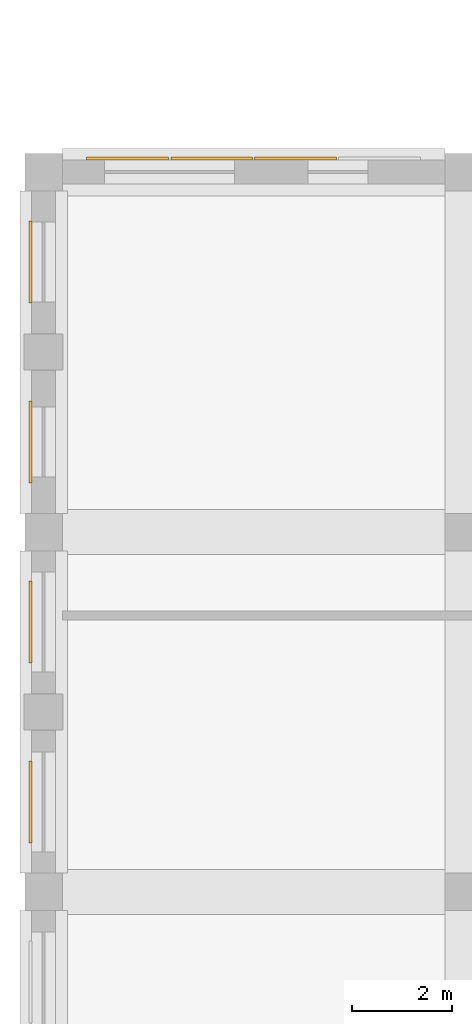
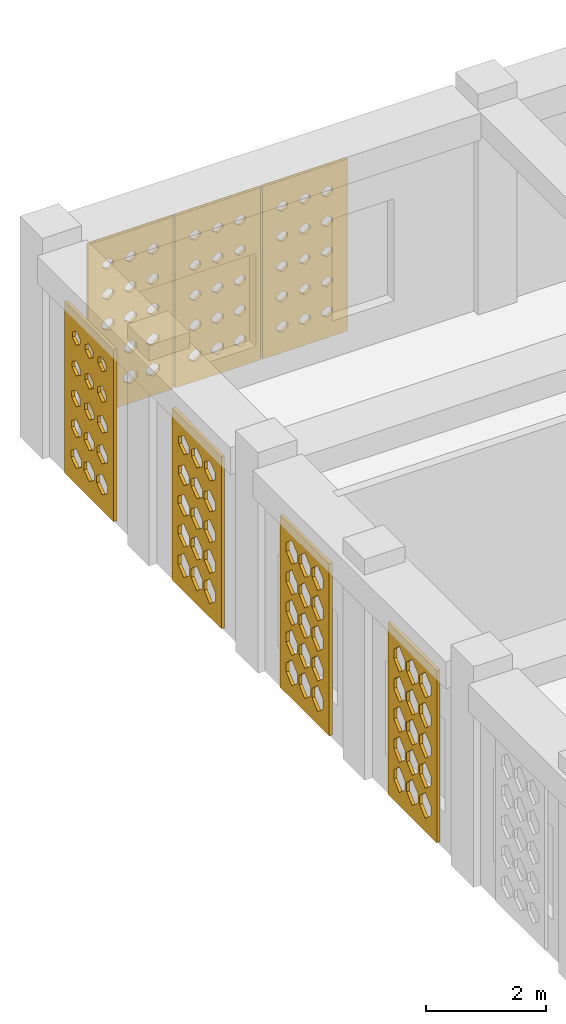
# One storey, part 103 of 121: 7 coverings.
"""IFC4 building model written with IfcOpenShell, lengths in metres."""

from ifc_helpers import new_model, si_unit, derived_unit, direction, frame, origin, place, context, subcontext, project, spatial, polyline, outline, extrude, material, layer, layer_set, type_object, element, save


model = new_model("IFC4")

# Units and contexts
model_context = context("Model", 3, precision=1e-05, world=origin(), true_north=direction((0.0, 1.0)))
body_context = subcontext(model_context, "Body", "Model", "MODEL_VIEW")
ifc_project = project(units=[si_unit("LENGTHUNIT", "METRE"), si_unit("AREAUNIT", "SQUARE_METRE"), si_unit("VOLUMEUNIT", "CUBIC_METRE"), si_unit("PLANEANGLEUNIT", "RADIAN"), si_unit("MASSUNIT", "GRAM", prefix="KILO"), derived_unit("THERMALTRANSMITTANCEUNIT", [(si_unit("POWERUNIT", "WATT"), 1), (si_unit("LENGTHUNIT", "METRE"), -2), (si_unit("THERMODYNAMICTEMPERATUREUNIT", "KELVIN"), -1)])], contexts=[model_context])

# Site, building, storey
site_placement = place(None, origin())
site = spatial("IfcSite", under=ifc_project, at=site_placement, CompositionType="ELEMENT")
building_placement = place(site_placement, origin())
building = spatial("IfcBuilding", under=site, at=building_placement, Name="Veybourne Emporium", CompositionType="ELEMENT")
storey_placement = place(building_placement, frame((0.0, 0.0, 5.39990234375)))
storey = spatial("IfcBuildingStorey", under=building, at=storey_placement, Name="L01", CompositionType="ELEMENT", Elevation=5.39990234375)

# Coverings
ifc_material = material(Name="Warm-White Perforated Aluminium Screen Alloy", Category="aluminium")
ifc_layer_1 = layer(ifc_material, 0.06005859375)
ifc_layer_set_1 = layer_set([ifc_layer_1], Name="Warm-White Perforated Aluminium Screen Alloy")
covering_type_1 = type_object("IfcCoveringType", Name="WaveScreen_SCR-01", PredefinedType="CLADDING", material=ifc_layer_set_1)
covering_1_placement = place(storey_placement, frame((1.679931640625, 79.498046875, 1.815185546875), z_axis=(0.0, -1.0, 0.0), x_axis=(1.0, 0.0, 0.0)))
element("IfcCovering", 1, at=covering_1_placement, inside=storey, type_object=covering_type_1, Name="L01 wave-perforated aluminium screen SCR-01 (10.1)", PredefinedType="CLADDING", context=body_context, shape_type="SweptSolid", body=[
    extrude(outline(polyline([(-0.81982421875, -1.7548828125), (0.81982421875, -1.7548828125), (0.81982421875, 1.7548828125), (-0.81982421875, 1.7548828125), (-0.81982421875, -1.7548828125)]), holes=[polyline([(-0.433349609375, -1.07470703125), (-0.298095703125, -1.1728515625), (-0.298095703125, -1.283203125), (-0.433349609375, -1.381103515625), (-0.568603515625, -1.283203125), (-0.568603515625, -1.1728515625), (-0.433349609375, -1.07470703125)]), polyline([(-0.433349609375, -0.47265625), (-0.3076171875, -0.56298828125), (-0.3076171875, -0.664794921875), (-0.433349609375, -0.75537109375), (-0.55908203125, -0.664794921875), (-0.55908203125, -0.56298828125), (-0.433349609375, -0.47265625)]), polyline([(-0.433349609375, 0.131103515625), (-0.316162109375, 0.047119140625), (-0.316162109375, -0.047119140625), (-0.433349609375, -0.131103515625), (-0.550537109375, -0.047119140625), (-0.550537109375, 0.047119140625), (-0.433349609375, 0.131103515625)]), polyline([(-0.433349609375, 0.736572265625), (-0.322998046875, 0.658203125), (-0.322998046875, 0.56982421875), (-0.433349609375, 0.491455078125), (-0.543701171875, 0.56982421875), (-0.543701171875, 0.658203125), (-0.433349609375, 0.736572265625)]), polyline([(-0.433349609375, 1.343994140625), (-0.328369140625, 1.269775390625), (-0.328369140625, 1.186279296875), (-0.433349609375, 1.11181640625), (-0.538330078125, 1.186279296875), (-0.538330078125, 1.269775390625), (-0.433349609375, 1.343994140625)]), polyline([(0.0, -1.080322265625), (0.130859375, -1.1748046875), (0.130859375, -1.281005859375), (0.0, -1.37548828125), (-0.130859375, -1.281005859375), (-0.130859375, -1.1748046875), (0.0, -1.080322265625)]), polyline([(0.0, -0.4775390625), (0.12158203125, -0.56494140625), (0.12158203125, -0.6630859375), (0.0, -0.75048828125), (-0.12158203125, -0.6630859375), (-0.12158203125, -0.56494140625), (0.0, -0.4775390625)]), polyline([(0.0, 0.126953125), (0.11376953125, 0.045654296875), (0.11376953125, -0.045654296875), (0.0, -0.126953125), (-0.11376953125, -0.045654296875), (-0.11376953125, 0.045654296875), (0.0, 0.126953125)]), polyline([(0.0, 0.7333984375), (0.107666015625, 0.656982421875), (0.107666015625, 0.571044921875), (0.0, 0.49462890625), (-0.107666015625, 0.571044921875), (-0.107666015625, 0.656982421875), (0.0, 0.7333984375)]), polyline([(0.0, 1.341796875), (0.103271484375, 1.26904296875), (0.103271484375, 1.18701171875), (0.0, 1.114013671875), (-0.103271484375, 1.18701171875), (-0.103271484375, 1.26904296875), (0.0, 1.341796875)]), polyline([(0.433349609375, -1.085693359375), (0.559814453125, -1.1767578125), (0.559814453125, -1.279296875), (0.433349609375, -1.370361328125), (0.306884765625, -1.279296875), (0.306884765625, -1.1767578125), (0.433349609375, -1.085693359375)]), polyline([(0.433349609375, -0.482177734375), (0.55126953125, -0.56640625), (0.55126953125, -0.66162109375), (0.433349609375, -0.745849609375), (0.3154296875, -0.66162109375), (0.3154296875, -0.56640625), (0.433349609375, -0.482177734375)]), polyline([(0.433349609375, 0.123291015625), (0.544189453125, 0.04443359375), (0.544189453125, -0.04443359375), (0.433349609375, -0.123291015625), (0.322509765625, -0.04443359375), (0.322509765625, 0.04443359375), (0.433349609375, 0.123291015625)]), polyline([(0.433349609375, 0.730712890625), (0.538818359375, 0.656005859375), (0.538818359375, 0.572021484375), (0.433349609375, 0.497314453125), (0.327880859375, 0.572021484375), (0.327880859375, 0.656005859375), (0.433349609375, 0.730712890625)]), polyline([(0.433349609375, 1.340087890625), (0.53515625, 1.268310546875), (0.53515625, 1.1875), (0.433349609375, 1.11572265625), (0.33154296875, 1.1875), (0.33154296875, 1.268310546875), (0.433349609375, 1.340087890625)])]), origin(), (0.0, 0.0, 1.0), 0.06005859375),
])
ifc_layer_2 = layer(ifc_material, 0.06005859375)
ifc_layer_set_2 = layer_set([ifc_layer_2], Name="Warm-White Perforated Aluminium Screen Alloy")
covering_type_2 = type_object("IfcCoveringType", Name="WaveScreen_SCR-02", PredefinedType="CLADDING", material=ifc_layer_set_2)
covering_2_placement = place(storey_placement, frame((3.360107421875, 79.498046875, 1.815185546875), z_axis=(0.0, -1.0, 0.0), x_axis=(1.0, 0.0, 0.0)))
element("IfcCovering", 2, at=covering_2_placement, inside=storey, type_object=covering_type_2, Name="L01 wave-perforated aluminium screen SCR-02 (10.2)", PredefinedType="CLADDING", context=body_context, shape_type="SweptSolid", body=[
    extrude(outline(polyline([(-0.81982421875, -1.7548828125), (0.81982421875, -1.7548828125), (0.81982421875, 1.7548828125), (-0.81982421875, 1.7548828125), (-0.81982421875, -1.7548828125)]), holes=[polyline([(-0.433349609375, -1.094482421875), (-0.314208984375, -1.179931640625), (-0.314208984375, -1.27587890625), (-0.433349609375, -1.361328125), (-0.552490234375, -1.27587890625), (-0.552490234375, -1.179931640625), (-0.433349609375, -1.094482421875)]), polyline([(-0.433349609375, -0.489501953125), (-0.321533203125, -0.569091796875), (-0.321533203125, -0.65869140625), (-0.433349609375, -0.73828125), (-0.545166015625, -0.65869140625), (-0.545166015625, -0.569091796875), (-0.433349609375, -0.489501953125)]), polyline([(-0.433349609375, 0.117431640625), (-0.327392578125, 0.042236328125), (-0.327392578125, -0.042236328125), (-0.433349609375, -0.117431640625), (-0.539306640625, -0.042236328125), (-0.539306640625, 0.042236328125), (-0.433349609375, 0.117431640625)]), polyline([(-0.433349609375, 0.726806640625), (-0.3310546875, 0.654541015625), (-0.3310546875, 0.573486328125), (-0.433349609375, 0.501220703125), (-0.535400390625, 0.573486328125), (-0.535400390625, 0.654541015625), (-0.433349609375, 0.726806640625)]), polyline([(-0.433349609375, 1.33837890625), (-0.3330078125, 1.267578125), (-0.3330078125, 1.188232421875), (-0.433349609375, 1.11767578125), (-0.53369140625, 1.188232421875), (-0.53369140625, 1.267578125), (-0.433349609375, 1.33837890625)]), polyline([(0.0, -1.09912109375), (0.115478515625, -1.181396484375), (0.115478515625, -1.2744140625), (0.0, -1.35693359375), (-0.115478515625, -1.2744140625), (-0.115478515625, -1.181396484375), (0.0, -1.09912109375)]), polyline([(0.0, -0.492919921875), (0.10888671875, -0.570556640625), (0.10888671875, -0.657470703125), (0.0, -0.735107421875), (-0.10888671875, -0.657470703125), (-0.10888671875, -0.570556640625), (0.0, -0.492919921875)]), polyline([(0.0, 0.114990234375), (0.10400390625, 0.04150390625), (0.10400390625, -0.04150390625), (0.0, -0.114990234375), (-0.10400390625, -0.04150390625), (-0.10400390625, 0.04150390625), (0.0, 0.114990234375)]), polyline([(0.0, 0.725341796875), (0.10107421875, 0.654052734375), (0.10107421875, 0.573974609375), (0.0, 0.502685546875), (-0.10107421875, 0.573974609375), (-0.10107421875, 0.654052734375), (0.0, 0.725341796875)]), polyline([(0.0, 1.337890625), (0.10009765625, 1.267578125), (0.10009765625, 1.1884765625), (0.0, 1.117919921875), (-0.10009765625, 1.1884765625), (-0.10009765625, 1.267578125), (0.0, 1.337890625)]), polyline([(0.433349609375, -1.102783203125), (0.545654296875, -1.18310546875), (0.545654296875, -1.27294921875), (0.433349609375, -1.35302734375), (0.321044921875, -1.27294921875), (0.321044921875, -1.18310546875), (0.433349609375, -1.102783203125)]), polyline([(0.433349609375, -0.49609375), (0.539794921875, -0.571533203125), (0.539794921875, -0.656494140625), (0.433349609375, -0.73193359375), (0.326904296875, -0.656494140625), (0.326904296875, -0.571533203125), (0.433349609375, -0.49609375)]), polyline([(0.433349609375, 0.113037109375), (0.535888671875, 0.040771484375), (0.535888671875, -0.040771484375), (0.433349609375, -0.113037109375), (0.330810546875, -0.040771484375), (0.330810546875, 0.040771484375), (0.433349609375, 0.113037109375)]), polyline([(0.433349609375, 0.724365234375), (0.53369140625, 0.65380859375), (0.53369140625, 0.57421875), (0.433349609375, 0.503662109375), (0.3330078125, 0.57421875), (0.3330078125, 0.65380859375), (0.433349609375, 0.724365234375)]), polyline([(0.433349609375, 1.338134765625), (0.533447265625, 1.267578125), (0.533447265625, 1.188232421875), (0.433349609375, 1.117919921875), (0.333251953125, 1.188232421875), (0.333251953125, 1.267578125), (0.433349609375, 1.338134765625)])]), origin(), (0.0, 0.0, 1.0), 0.06005859375),
])
covering_3_placement = place(storey_placement, frame((-0.298095703125, 73.802490234375, 1.815185546875), z_axis=(1.0, 0.0, 0.0), x_axis=(0.0, 1.0, 0.0)))
element("IfcCovering", 3, at=covering_3_placement, inside=storey, type_object=covering_type_2, Name="L01 wave-perforated aluminium screen SCR-02 (11A.1)", PredefinedType="CLADDING", context=body_context, shape_type="SweptSolid", body=[
    extrude(outline(polyline([(-0.81982421875, -1.7548828125), (0.81982421875, -1.7548828125), (0.81982421875, 1.7548828125), (-0.81982421875, 1.7548828125), (-0.81982421875, -1.7548828125)]), holes=[polyline([(-0.433349609375, -0.972412109375), (-0.2470703125, -1.135986328125), (-0.2470703125, -1.320068359375), (-0.433349609375, -1.483642578125), (-0.61962890625, -1.320068359375), (-0.61962890625, -1.135986328125), (-0.433349609375, -0.972412109375)]), polyline([(-0.433349609375, -0.368408203125), (-0.2470703125, -0.525390625), (-0.2470703125, -0.702392578125), (-0.433349609375, -0.859619140625), (-0.61962890625, -0.702392578125), (-0.61962890625, -0.525390625), (-0.433349609375, -0.368408203125)]), polyline([(-0.433349609375, 0.234130859375), (-0.2470703125, 0.084228515625), (-0.2470703125, -0.084228515625), (-0.433349609375, -0.234130859375), (-0.61962890625, -0.084228515625), (-0.61962890625, 0.084228515625), (-0.433349609375, 0.234130859375)]), polyline([(-0.433349609375, 0.83544921875), (-0.2470703125, 0.693603515625), (-0.2470703125, 0.5341796875), (-0.433349609375, 0.392578125), (-0.61962890625, 0.5341796875), (-0.61962890625, 0.693603515625), (-0.433349609375, 0.83544921875)]), polyline([(-0.433349609375, 1.435791015625), (-0.25341796875, 1.302734375), (-0.25341796875, 1.1533203125), (-0.433349609375, 1.020263671875), (-0.61328125, 1.1533203125), (-0.61328125, 1.302734375), (-0.433349609375, 1.435791015625)]), polyline([(0.0, -0.9765625), (0.186279296875, -1.137451171875), (0.186279296875, -1.318603515625), (0.0, -1.4794921875), (-0.186279296875, -1.318603515625), (-0.186279296875, -1.137451171875), (0.0, -0.9765625)]), polyline([(0.0, -0.373291015625), (0.186279296875, -0.52734375), (0.186279296875, -0.70068359375), (0.0, -0.854736328125), (-0.186279296875, -0.70068359375), (-0.186279296875, -0.52734375), (0.0, -0.373291015625)]), polyline([(0.0, 0.228515625), (0.186279296875, 0.082275390625), (0.186279296875, -0.082275390625), (0.0, -0.228515625), (-0.186279296875, -0.082275390625), (-0.186279296875, 0.082275390625), (0.0, 0.228515625)]), polyline([(0.0, 0.829345703125), (0.18603515625, 0.69140625), (0.18603515625, 0.53662109375), (0.0, 0.398681640625), (-0.18603515625, 0.53662109375), (-0.18603515625, 0.69140625), (0.0, 0.829345703125)]), polyline([(0.0, 1.429443359375), (0.1748046875, 1.300537109375), (0.1748046875, 1.155517578125), (0.0, 1.026611328125), (-0.1748046875, 1.155517578125), (-0.1748046875, 1.300537109375), (0.0, 1.429443359375)]), polyline([(0.433349609375, -0.981201171875), (0.61962890625, -1.13916015625), (0.61962890625, -1.31689453125), (0.433349609375, -1.474609375), (0.2470703125, -1.31689453125), (0.2470703125, -1.13916015625), (0.433349609375, -0.981201171875)]), polyline([(0.433349609375, -0.378662109375), (0.61962890625, -0.529296875), (0.61962890625, -0.69873046875), (0.433349609375, -0.849365234375), (0.2470703125, -0.69873046875), (0.2470703125, -0.529296875), (0.433349609375, -0.378662109375)]), polyline([(0.433349609375, 0.22265625), (0.61962890625, 0.080078125), (0.61962890625, -0.080078125), (0.433349609375, -0.22265625), (0.2470703125, -0.080078125), (0.2470703125, 0.080078125), (0.433349609375, 0.22265625)]), polyline([(0.433349609375, 0.822998046875), (0.614501953125, 0.689208984375), (0.614501953125, 0.538818359375), (0.433349609375, 0.405029296875), (0.252197265625, 0.538818359375), (0.252197265625, 0.689208984375), (0.433349609375, 0.822998046875)]), polyline([(0.433349609375, 1.423095703125), (0.602783203125, 1.298095703125), (0.602783203125, 1.15771484375), (0.433349609375, 1.032958984375), (0.263916015625, 1.15771484375), (0.263916015625, 1.298095703125), (0.433349609375, 1.423095703125)])]), origin(), (0.0, 0.0, 1.0), 0.06005859375),
])
covering_4_placement = place(storey_placement, frame((-0.298095703125, 77.3974609375, 1.815185546875), z_axis=(1.0, 0.0, 0.0), x_axis=(0.0, 1.0, 0.0)))
element("IfcCovering", 4, at=covering_4_placement, inside=storey, type_object=covering_type_2, Name="L01 wave-perforated aluminium screen SCR-02 (11B.1)", PredefinedType="CLADDING", context=body_context, shape_type="SweptSolid", body=[
    extrude(outline(polyline([(-0.81982421875, -1.7548828125), (0.81982421875, -1.7548828125), (0.81982421875, 1.7548828125), (-0.81982421875, 1.7548828125), (-0.81982421875, -1.7548828125)]), holes=[polyline([(-0.433349609375, -1.01708984375), (-0.250732421875, -1.152099609375), (-0.250732421875, -1.303955078125), (-0.433349609375, -1.43896484375), (-0.615966796875, -1.303955078125), (-0.615966796875, -1.152099609375), (-0.433349609375, -1.01708984375)]), polyline([(-0.433349609375, -0.4169921875), (-0.26220703125, -0.543212890625), (-0.26220703125, -0.684814453125), (-0.433349609375, -0.81103515625), (-0.6044921875, -0.684814453125), (-0.6044921875, -0.543212890625), (-0.433349609375, -0.4169921875)]), polyline([(-0.433349609375, 0.182861328125), (-0.273681640625, 0.06591796875), (-0.273681640625, -0.06591796875), (-0.433349609375, -0.182861328125), (-0.593017578125, -0.06591796875), (-0.593017578125, 0.06591796875), (-0.433349609375, 0.182861328125)]), polyline([(-0.433349609375, 0.782958984375), (-0.28515625, 0.6748046875), (-0.28515625, 0.55322265625), (-0.433349609375, 0.445068359375), (-0.58154296875, 0.55322265625), (-0.58154296875, 0.6748046875), (-0.433349609375, 0.782958984375)]), polyline([(-0.433349609375, 1.3837890625), (-0.2958984375, 1.2841796875), (-0.2958984375, 1.171875), (-0.433349609375, 1.072265625), (-0.57080078125, 1.171875), (-0.57080078125, 1.2841796875), (-0.433349609375, 1.3837890625)]), polyline([(0.0, -1.023193359375), (0.177490234375, -1.154296875), (0.177490234375, -1.3017578125), (0.0, -1.4326171875), (-0.177490234375, -1.3017578125), (-0.177490234375, -1.154296875), (0.0, -1.023193359375)]), polyline([(0.0, -0.42333984375), (0.166015625, -0.54541015625), (0.166015625, -0.6826171875), (0.0, -0.8046875), (-0.166015625, -0.6826171875), (-0.166015625, -0.54541015625), (0.0, -0.42333984375)]), polyline([(0.0, 0.176513671875), (0.154296875, 0.0634765625), (0.154296875, -0.0634765625), (0.0, -0.176513671875), (-0.154296875, -0.0634765625), (-0.154296875, 0.0634765625), (0.0, 0.176513671875)]), polyline([(0.0, 0.77685546875), (0.143310546875, 0.672607421875), (0.143310546875, 0.555419921875), (0.0, 0.451171875), (-0.143310546875, 0.555419921875), (-0.143310546875, 0.672607421875), (0.0, 0.77685546875)]), polyline([(0.0, 1.378173828125), (0.1328125, 1.281982421875), (0.1328125, 1.174072265625), (0.0, 1.077880859375), (-0.1328125, 1.174072265625), (-0.1328125, 1.281982421875), (0.0, 1.378173828125)]), polyline([(0.433349609375, -1.02978515625), (0.605712890625, -1.156494140625), (0.605712890625, -1.29931640625), (0.433349609375, -1.42626953125), (0.260986328125, -1.29931640625), (0.260986328125, -1.156494140625), (0.433349609375, -1.02978515625)]), polyline([(0.433349609375, -0.429931640625), (0.593994140625, -0.547607421875), (0.593994140625, -0.680419921875), (0.433349609375, -0.798095703125), (0.272705078125, -0.680419921875), (0.272705078125, -0.547607421875), (0.433349609375, -0.429931640625)]), polyline([(0.433349609375, 0.170166015625), (0.58251953125, 0.061279296875), (0.58251953125, -0.061279296875), (0.433349609375, -0.170166015625), (0.2841796875, -0.061279296875), (0.2841796875, 0.061279296875), (0.433349609375, 0.170166015625)]), polyline([(0.433349609375, 0.77099609375), (0.57177734375, 0.67041015625), (0.57177734375, 0.5576171875), (0.433349609375, 0.45703125), (0.294921875, 0.5576171875), (0.294921875, 0.67041015625), (0.433349609375, 0.77099609375)]), polyline([(0.433349609375, 1.372802734375), (0.561767578125, 1.280029296875), (0.561767578125, 1.17578125), (0.433349609375, 1.083251953125), (0.304931640625, 1.17578125), (0.304931640625, 1.280029296875), (0.433349609375, 1.372802734375)])]), origin(), (0.0, 0.0, 1.0), 0.06005859375),
])
ifc_layer_3 = layer(ifc_material, 0.06005859375)
ifc_layer_set_3 = layer_set([ifc_layer_3], Name="Warm-White Perforated Aluminium Screen Alloy")
covering_type_3 = type_object("IfcCoveringType", Name="WaveScreen_SCR-03", PredefinedType="CLADDING", material=ifc_layer_set_3)
covering_5_placement = place(storey_placement, frame((5.0400390625, 79.498046875, 1.815185546875), z_axis=(0.0, -1.0, 0.0), x_axis=(1.0, 0.0, 0.0)))
element("IfcCovering", 5, at=covering_5_placement, inside=storey, type_object=covering_type_3, Name="L01 wave-perforated aluminium screen SCR-03 (10.3)", PredefinedType="CLADDING", context=body_context, shape_type="SweptSolid", body=[
    extrude(outline(polyline([(-0.81982421875, -1.7548828125), (0.81982421875, -1.7548828125), (0.81982421875, 1.7548828125), (-0.81982421875, 1.7548828125), (-0.81982421875, -1.7548828125)]), holes=[polyline([(-0.433349609375, -1.109130859375), (-0.325927734375, -1.185302734375), (-0.325927734375, -1.270751953125), (-0.433349609375, -1.346923828125), (-0.54052734375, -1.270751953125), (-0.54052734375, -1.185302734375), (-0.433349609375, -1.109130859375)]), polyline([(-0.433349609375, -0.50048828125), (-0.330322265625, -0.572998046875), (-0.330322265625, -0.65478515625), (-0.433349609375, -0.7275390625), (-0.536376953125, -0.65478515625), (-0.536376953125, -0.572998046875), (-0.433349609375, -0.50048828125)]), polyline([(-0.433349609375, 0.110595703125), (-0.332763671875, 0.039794921875), (-0.332763671875, -0.039794921875), (-0.433349609375, -0.110595703125), (-0.533935546875, -0.039794921875), (-0.533935546875, 0.039794921875), (-0.433349609375, 0.110595703125)]), polyline([(-0.433349609375, 0.72412109375), (-0.333251953125, 0.653564453125), (-0.333251953125, 0.574462890625), (-0.433349609375, 0.50390625), (-0.533447265625, 0.574462890625), (-0.533447265625, 0.653564453125), (-0.433349609375, 0.72412109375)]), polyline([(-0.433349609375, 1.340087890625), (-0.331787109375, 1.268310546875), (-0.331787109375, 1.187744140625), (-0.433349609375, 1.115966796875), (-0.534912109375, 1.187744140625), (-0.534912109375, 1.268310546875), (-0.433349609375, 1.340087890625)]), polyline([(0.0, -1.11181640625), (0.10498046875, -1.186279296875), (0.10498046875, -1.269775390625), (0.0, -1.34423828125), (-0.10498046875, -1.269775390625), (-0.10498046875, -1.186279296875), (0.0, -1.11181640625)]), polyline([(0.0, -0.501953125), (0.1015625, -0.57373046875), (0.1015625, -0.654296875), (0.0, -0.72607421875), (-0.1015625, -0.654296875), (-0.1015625, -0.57373046875), (0.0, -0.501953125)]), polyline([(0.0, 0.110107421875), (0.10009765625, 0.03955078125), (0.10009765625, -0.03955078125), (0.0, -0.110107421875), (-0.10009765625, -0.03955078125), (-0.10009765625, 0.03955078125), (0.0, 0.110107421875)]), polyline([(0.0, 0.724609375), (0.1005859375, 0.65380859375), (0.1005859375, 0.57421875), (0.0, 0.50341796875), (-0.1005859375, 0.57421875), (-0.1005859375, 0.65380859375), (0.0, 0.724609375)]), polyline([(0.0, 1.341552734375), (0.102783203125, 1.268798828125), (0.102783203125, 1.18701171875), (0.0, 1.114501953125), (-0.102783203125, 1.18701171875), (-0.102783203125, 1.268798828125), (0.0, 1.341552734375)]), polyline([(0.433349609375, -1.114013671875), (0.53662109375, -1.18701171875), (0.53662109375, -1.26904296875), (0.433349609375, -1.342041015625), (0.330078125, -1.26904296875), (0.330078125, -1.18701171875), (0.433349609375, -1.114013671875)]), polyline([(0.433349609375, -0.503173828125), (0.533935546875, -0.57421875), (0.533935546875, -0.65380859375), (0.433349609375, -0.724853515625), (0.332763671875, -0.65380859375), (0.332763671875, -0.57421875), (0.433349609375, -0.503173828125)]), polyline([(0.433349609375, 0.110107421875), (0.533447265625, 0.03955078125), (0.533447265625, -0.03955078125), (0.433349609375, -0.110107421875), (0.333251953125, -0.03955078125), (0.333251953125, 0.03955078125), (0.433349609375, 0.110107421875)]), polyline([(0.433349609375, 0.7255859375), (0.53466796875, 0.654296875), (0.53466796875, 0.57373046875), (0.433349609375, 0.502197265625), (0.33203125, 0.57373046875), (0.33203125, 0.654296875), (0.433349609375, 0.7255859375)]), polyline([(0.433349609375, 1.34375), (0.5380859375, 1.269775390625), (0.5380859375, 1.186279296875), (0.433349609375, 1.1123046875), (0.32861328125, 1.186279296875), (0.32861328125, 1.269775390625), (0.433349609375, 1.34375)])]), origin(), (0.0, 0.0, 1.0), 0.06005859375),
])
ifc_layer_4 = layer(ifc_material, 0.06005859375)
ifc_layer_set_4 = layer_set([ifc_layer_4], Name="Warm-White Perforated Aluminium Screen Alloy")
covering_type_4 = type_object("IfcCoveringType", Name="WaveScreen_SCR-04", PredefinedType="CLADDING", material=ifc_layer_set_4)
covering_6_placement = place(storey_placement, frame((-0.298095703125, 66.6025390625, 1.815185546875), z_axis=(1.0, 0.0, 0.0), x_axis=(0.0, 1.0, 0.0)))
element("IfcCovering", 6, at=covering_6_placement, inside=storey, type_object=covering_type_4, Name="L01 wave-perforated aluminium screen SCR-04 (9A.1)", PredefinedType="CLADDING", context=body_context, shape_type="SweptSolid", body=[
    extrude(outline(polyline([(-0.81982421875, -1.7548828125), (0.81982421875, -1.7548828125), (0.81982421875, 1.7548828125), (-0.81982421875, 1.7548828125), (-0.81982421875, -1.7548828125)]), holes=[polyline([(-0.433349609375, -0.96728515625), (-0.2470703125, -1.13427734375), (-0.2470703125, -1.32177734375), (-0.433349609375, -1.48876953125), (-0.61962890625, -1.32177734375), (-0.61962890625, -1.13427734375), (-0.433349609375, -0.96728515625)]), polyline([(-0.433349609375, -0.35009765625), (-0.2470703125, -0.51904296875), (-0.2470703125, -0.708984375), (-0.433349609375, -0.8779296875), (-0.61962890625, -0.708984375), (-0.61962890625, -0.51904296875), (-0.433349609375, -0.35009765625)]), polyline([(-0.433349609375, 0.263916015625), (-0.2470703125, 0.094970703125), (-0.2470703125, -0.094970703125), (-0.433349609375, -0.263916015625), (-0.61962890625, -0.094970703125), (-0.61962890625, 0.094970703125), (-0.433349609375, 0.263916015625)]), polyline([(-0.433349609375, 0.8779296875), (-0.2470703125, 0.708984375), (-0.2470703125, 0.51904296875), (-0.433349609375, 0.35009765625), (-0.61962890625, 0.51904296875), (-0.61962890625, 0.708984375), (-0.433349609375, 0.8779296875)]), polyline([(-0.433349609375, 1.491943359375), (-0.2470703125, 1.322998046875), (-0.2470703125, 1.133056640625), (-0.433349609375, 0.964111328125), (-0.61962890625, 1.133056640625), (-0.61962890625, 1.322998046875), (-0.433349609375, 1.491943359375)]), polyline([(0.0, -0.964111328125), (0.186279296875, -1.133056640625), (0.186279296875, -1.322998046875), (0.0, -1.491943359375), (-0.186279296875, -1.322998046875), (-0.186279296875, -1.133056640625), (0.0, -0.964111328125)]), polyline([(0.0, -0.35009765625), (0.186279296875, -0.51904296875), (0.186279296875, -0.708984375), (0.0, -0.8779296875), (-0.186279296875, -0.708984375), (-0.186279296875, -0.51904296875), (0.0, -0.35009765625)]), polyline([(0.0, 0.263916015625), (0.186279296875, 0.094970703125), (0.186279296875, -0.094970703125), (0.0, -0.263916015625), (-0.186279296875, -0.094970703125), (-0.186279296875, 0.094970703125), (0.0, 0.263916015625)]), polyline([(0.0, 0.8779296875), (0.186279296875, 0.708984375), (0.186279296875, 0.51904296875), (0.0, 0.35009765625), (-0.186279296875, 0.51904296875), (-0.186279296875, 0.708984375), (0.0, 0.8779296875)]), polyline([(0.0, 1.491943359375), (0.186279296875, 1.322998046875), (0.186279296875, 1.133056640625), (0.0, 0.964111328125), (-0.186279296875, 1.133056640625), (-0.186279296875, 1.322998046875), (0.0, 1.491943359375)]), polyline([(0.433349609375, -0.964111328125), (0.61962890625, -1.133056640625), (0.61962890625, -1.322998046875), (0.433349609375, -1.491943359375), (0.2470703125, -1.322998046875), (0.2470703125, -1.133056640625), (0.433349609375, -0.964111328125)]), polyline([(0.433349609375, -0.35009765625), (0.61962890625, -0.51904296875), (0.61962890625, -0.708984375), (0.433349609375, -0.8779296875), (0.2470703125, -0.708984375), (0.2470703125, -0.51904296875), (0.433349609375, -0.35009765625)]), polyline([(0.433349609375, 0.263916015625), (0.61962890625, 0.094970703125), (0.61962890625, -0.094970703125), (0.433349609375, -0.263916015625), (0.2470703125, -0.094970703125), (0.2470703125, 0.094970703125), (0.433349609375, 0.263916015625)]), polyline([(0.433349609375, 0.8779296875), (0.61962890625, 0.708984375), (0.61962890625, 0.51904296875), (0.433349609375, 0.35009765625), (0.2470703125, 0.51904296875), (0.2470703125, 0.708984375), (0.433349609375, 0.8779296875)]), polyline([(0.433349609375, 1.491943359375), (0.61962890625, 1.322998046875), (0.61962890625, 1.133056640625), (0.433349609375, 0.964111328125), (0.2470703125, 1.133056640625), (0.2470703125, 1.322998046875), (0.433349609375, 1.491943359375)])]), origin(), (0.0, 0.0, 1.0), 0.06005859375),
])
covering_7_placement = place(storey_placement, frame((-0.298095703125, 70.197509765625, 1.815185546875), z_axis=(1.0, 0.0, 0.0), x_axis=(0.0, 1.0, 0.0)))
element("IfcCovering", 7, at=covering_7_placement, inside=storey, type_object=covering_type_4, Name="L01 wave-perforated aluminium screen SCR-04 (9B.1)", PredefinedType="CLADDING", context=body_context, shape_type="SweptSolid", body=[
    extrude(outline(polyline([(-0.81982421875, -1.7548828125), (0.81982421875, -1.7548828125), (0.81982421875, 1.7548828125), (-0.81982421875, 1.7548828125), (-0.81982421875, -1.7548828125)]), holes=[polyline([(-0.433349609375, -0.964111328125), (-0.2470703125, -1.133056640625), (-0.2470703125, -1.322998046875), (-0.433349609375, -1.491943359375), (-0.61962890625, -1.322998046875), (-0.61962890625, -1.133056640625), (-0.433349609375, -0.964111328125)]), polyline([(-0.433349609375, -0.35009765625), (-0.2470703125, -0.51904296875), (-0.2470703125, -0.708984375), (-0.433349609375, -0.8779296875), (-0.61962890625, -0.708984375), (-0.61962890625, -0.51904296875), (-0.433349609375, -0.35009765625)]), polyline([(-0.433349609375, 0.263916015625), (-0.2470703125, 0.094970703125), (-0.2470703125, -0.094970703125), (-0.433349609375, -0.263916015625), (-0.61962890625, -0.094970703125), (-0.61962890625, 0.094970703125), (-0.433349609375, 0.263916015625)]), polyline([(-0.433349609375, 0.876220703125), (-0.2470703125, 0.70849609375), (-0.2470703125, 0.51953125), (-0.433349609375, 0.351806640625), (-0.61962890625, 0.51953125), (-0.61962890625, 0.70849609375), (-0.433349609375, 0.876220703125)]), polyline([(-0.433349609375, 1.481689453125), (-0.2470703125, 1.3193359375), (-0.2470703125, 1.13671875), (-0.433349609375, 0.974365234375), (-0.61962890625, 1.13671875), (-0.61962890625, 1.3193359375), (-0.433349609375, 1.481689453125)]), polyline([(0.0, -0.964111328125), (0.186279296875, -1.133056640625), (0.186279296875, -1.322998046875), (0.0, -1.491943359375), (-0.186279296875, -1.322998046875), (-0.186279296875, -1.133056640625), (0.0, -0.964111328125)]), polyline([(0.0, -0.35009765625), (0.186279296875, -0.51904296875), (0.186279296875, -0.708984375), (0.0, -0.8779296875), (-0.186279296875, -0.708984375), (-0.186279296875, -0.51904296875), (0.0, -0.35009765625)]), polyline([(0.0, 0.263916015625), (0.186279296875, 0.094970703125), (0.186279296875, -0.094970703125), (0.0, -0.263916015625), (-0.186279296875, -0.094970703125), (-0.186279296875, 0.094970703125), (0.0, 0.263916015625)]), polyline([(0.0, 0.87255859375), (0.186279296875, 0.70703125), (0.186279296875, 0.52099609375), (0.0, 0.35546875), (-0.186279296875, 0.52099609375), (-0.186279296875, 0.70703125), (0.0, 0.87255859375)]), polyline([(0.0, 1.47705078125), (0.186279296875, 1.317626953125), (0.186279296875, 1.13818359375), (0.0, 0.97900390625), (-0.186279296875, 1.13818359375), (-0.186279296875, 1.317626953125), (0.0, 1.47705078125)]), polyline([(0.433349609375, -0.964111328125), (0.61962890625, -1.133056640625), (0.61962890625, -1.322998046875), (0.433349609375, -1.491943359375), (0.2470703125, -1.322998046875), (0.2470703125, -1.133056640625), (0.433349609375, -0.964111328125)]), polyline([(0.433349609375, -0.35009765625), (0.61962890625, -0.51904296875), (0.61962890625, -0.708984375), (0.433349609375, -0.8779296875), (0.2470703125, -0.708984375), (0.2470703125, -0.51904296875), (0.433349609375, -0.35009765625)]), polyline([(0.433349609375, 0.262939453125), (0.61962890625, 0.094482421875), (0.61962890625, -0.094482421875), (0.433349609375, -0.262939453125), (0.2470703125, -0.094482421875), (0.2470703125, 0.094482421875), (0.433349609375, 0.262939453125)]), polyline([(0.433349609375, 0.868408203125), (0.61962890625, 0.70556640625), (0.61962890625, 0.5224609375), (0.433349609375, 0.359619140625), (0.2470703125, 0.5224609375), (0.2470703125, 0.70556640625), (0.433349609375, 0.868408203125)]), polyline([(0.433349609375, 1.472412109375), (0.61962890625, 1.31591796875), (0.61962890625, 1.14013671875), (0.433349609375, 0.983642578125), (0.2470703125, 1.14013671875), (0.2470703125, 1.31591796875), (0.433349609375, 1.472412109375)])]), origin(), (0.0, 0.0, 1.0), 0.06005859375),
])

save(model, "model.ifc")
